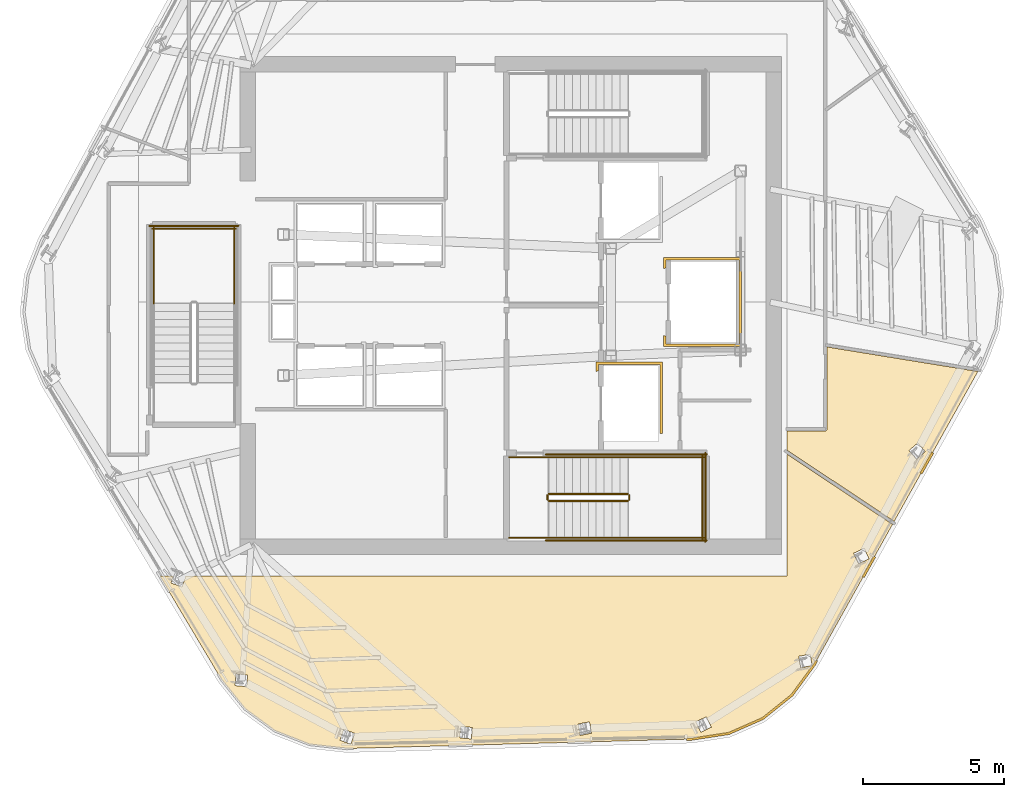
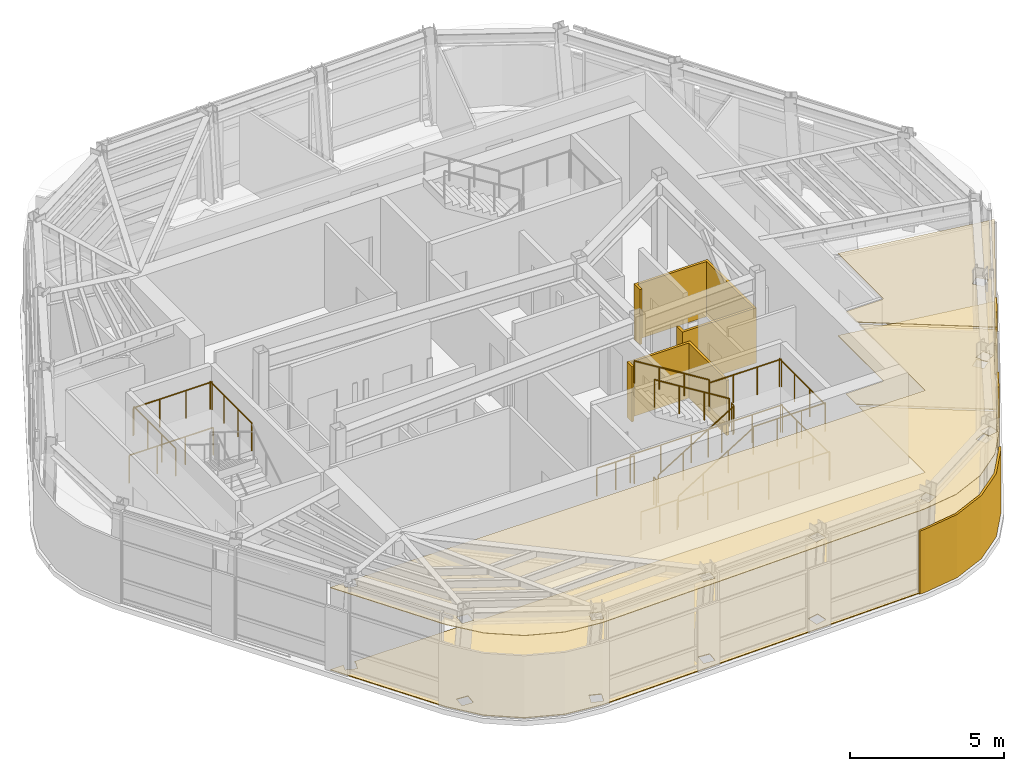
# One storey, part 10 of 13: 18 railings, 9 coverings.
"""IFC4 building model written with IfcOpenShell, lengths in metres."""

from ifc_helpers import new_model, si_unit, direction, frame, origin, origin_2d, place, context, subcontext, project, spatial, polyline, circle, outline, extrude, material, layer, layer_set, type_object, element, save


model = new_model("IFC4")

# Units and contexts
model_context = context("Model", 3, precision=1e-05, world=origin(), true_north=direction((0.0, 1.0)))
body_context = subcontext(model_context, "Body", "Model", "MODEL_VIEW")
ifc_project = project(units=[si_unit("LENGTHUNIT", "METRE"), si_unit("AREAUNIT", "SQUARE_METRE"), si_unit("VOLUMEUNIT", "CUBIC_METRE"), si_unit("PLANEANGLEUNIT", "RADIAN"), si_unit("MASSUNIT", "GRAM", prefix="KILO")], contexts=[model_context])

# Site, building, storey
site_placement = place(None, origin())
site = spatial("IfcSite", under=ifc_project, at=site_placement, CompositionType="ELEMENT")
building_placement = place(site_placement, origin())
building = spatial("IfcBuilding", under=site, at=building_placement, Name="Valkerne Bourse Tower", CompositionType="ELEMENT")
storey_placement = place(building_placement, frame((0.0, 0.0, 288.800048828125)))
storey = spatial("IfcBuildingStorey", under=building, at=storey_placement, Name="L73", CompositionType="ELEMENT", Elevation=288.800048828125)

# Coverings
ifc_material_1 = material(Name="Mineral Fiber Acoustic Ceiling Tile", Category="acoustic")
ifc_layer_1 = layer(ifc_material_1, 0.02490234375)
ifc_layer_set_1 = layer_set([ifc_layer_1], Name="Mineral Fiber Acoustic Ceiling Tile")
covering_type_1 = type_object("IfcCoveringType", Name="COV-CEIL-ACT", PredefinedType="CEILING", material=ifc_layer_set_1)
covering_1_placement = place(storey_placement, frame((0.0, 0.0, 3.25)))
element("IfcCovering", 1, at=covering_1_placement, inside=storey, type_object=covering_type_1, Name="L73 Suspended Ceiling 04", PredefinedType="CEILING", context=body_context, shape_type="SweptSolid", body=[
    extrude(outline(polyline([(57.953369140625, 22.43115234375), (57.99072265625, 22.444091796875), (58.0126953125, 22.470947265625), (58.01904296875, 22.49951171875), (58.01904296875, 25.40869140625), (63.35986328125, 24.54052734375), (60.391845703125, 19.225341796875), (56.60009765625, 21.748291015625), (56.60009765625, 22.430908203125), (57.953369140625, 22.43115234375)]), holes=[polyline([(61.493896484375, 21.697998046875), (61.228515625, 22.005859375), (60.91845703125, 21.739501953125), (60.917724609375, 21.737548828125), (61.18310546875, 21.4296875), (61.4931640625, 21.69580078125), (61.493896484375, 21.697998046875)])]), origin(), (0.0, 0.0, 1.0), 0.02490234375),
])
covering_2_placement = place(storey_placement, frame((0.0, 0.0, 3.25)))
element("IfcCovering", 2, at=covering_2_placement, inside=storey, type_object=covering_type_1, Name="L73 Suspended Ceiling 09", PredefinedType="CEILING", context=body_context, shape_type="SweptSolid", body=[
    extrude(outline(polyline([(55.736083984375, 12.24462890625), (54.52783203125, 11.71435546875), (53.213623046875, 11.51318359375), (40.99462890625, 11.176513671875), (39.674072265625, 11.322265625), (38.444580078125, 11.8017578125), (37.381103515625, 12.582763671875), (36.550537109375, 13.619873046875), (34.354736328125, 17.300048828125), (34.85205078125, 17.300048828125), (34.76171875, 17.04150390625), (34.762939453125, 17.039794921875), (35.14892578125, 16.905517578125), (35.283447265625, 17.2890625), (35.281982421875, 17.291015625), (35.255615234375, 17.300048828125), (56.60009765625, 17.300048828125), (56.60009765625, 21.6064453125), (60.334228515625, 19.1220703125), (57.552978515625, 14.14111328125), (56.76611328125, 13.069580078125), (55.736083984375, 12.24462890625)]), holes=[polyline([(41.2685546875, 11.71728515625), (40.886474609375, 11.8544921875), (40.748291015625, 11.468994140625), (40.75048828125, 11.46826171875), (41.13232421875, 11.331298828125), (41.270751953125, 11.716552734375), (41.2685546875, 11.71728515625)]), polyline([(45.43798828125, 11.924072265625), (45.03369140625, 11.959716796875), (44.99755859375, 11.552001953125), (44.999755859375, 11.5517578125), (45.404296875, 11.51611328125), (45.440185546875, 11.923828125), (45.43798828125, 11.924072265625)]), polyline([(37.471923828125, 13.77978515625), (37.064697265625, 13.811767578125), (37.031982421875, 13.406494140625), (37.03369140625, 13.405029296875), (37.441162109375, 13.373046875), (37.473876953125, 13.7783203125), (37.471923828125, 13.77978515625)]), polyline([(49.6669921875, 11.719970703125), (49.5908203125, 12.1220703125), (49.58837890625, 12.12158203125), (49.189697265625, 12.046142578125), (49.265869140625, 11.64404296875), (49.26806640625, 11.644287109375), (49.6669921875, 11.719970703125)]), polyline([(53.909912109375, 11.930908203125), (53.734130859375, 12.300537109375), (53.732177734375, 12.299560546875), (53.365478515625, 12.12548828125), (53.541259765625, 11.755615234375), (53.54345703125, 11.756591796875), (53.909912109375, 11.930908203125)]), polyline([(57.486083984375, 14.11865234375), (57.4130859375, 14.5185546875), (57.010986328125, 14.446044921875), (57.00927734375, 14.444580078125), (57.082275390625, 14.044677734375), (57.484130859375, 14.1171875), (57.486083984375, 14.11865234375)]), polyline([(59.498779296875, 17.90234375), (59.326904296875, 18.270751953125), (58.956298828125, 18.0986328125), (58.954833984375, 18.096923828125), (59.126708984375, 17.728515625), (59.497314453125, 17.900390625), (59.498779296875, 17.90234375)])]), origin(), (0.0, 0.0, 1.0), 0.02490234375),
])
ifc_material_2 = material(Name="Bronze Anodised Aluminium AA 6063-T6", Category="aluminium")
ifc_layer_2 = layer(ifc_material_2, 0.06005859375)
ifc_layer_set_2 = layer_set([ifc_layer_2], Name="Bronze Anodised Aluminium AA 6063-T6")
covering_type_2 = type_object("IfcCoveringType", Name="COV-CRN-ALUM", PredefinedType="CLADDING", material=ifc_layer_set_2)
covering_3_placement = place(storey_placement, origin())
element("IfcCovering", 3, at=covering_3_placement, inside=storey, type_object=covering_type_2, Name="L73 Wind-Shaped Corner Aluminium Cladding 02", PredefinedType="CLADDING", context=body_context, shape_type="SweptSolid", body=[
    extrude(outline(polyline([(61.381591796875, 20.90771484375), (61.3115234375, 20.9462890625), (61.72119140625, 21.6796875), (61.791259765625, 21.64111328125), (61.381591796875, 20.90771484375)])), origin(), (0.0, 0.0, 1.0), 2.5),
])
covering_4_placement = place(storey_placement, origin())
element("IfcCovering", 4, at=covering_4_placement, inside=storey, type_object=covering_type_2, Name="L73 Wind-Shaped Corner Aluminium Cladding 03", PredefinedType="CLADDING", context=body_context, shape_type="SweptSolid", body=[
    extrude(outline(polyline([(59.328125, 17.22998046875), (59.258056640625, 17.2685546875), (59.66748046875, 18.001953125), (59.73779296875, 17.96337890625), (59.328125, 17.22998046875)])), origin(), (0.0, 0.0, 1.0), 2.5),
])
covering_5_placement = place(storey_placement, origin())
element("IfcCovering", 5, at=covering_5_placement, inside=storey, type_object=covering_type_2, Name="L73 Wind-Shaped Corner Aluminium Cladding 04", PredefinedType="CLADDING", context=body_context, shape_type="SweptSolid", body=[
    extrude(outline(polyline([(57.590087890625, 14.117431640625), (56.798095703125, 13.0390625), (55.759033203125, 12.206787109375), (54.540283203125, 11.671630859375), (53.217529296875, 11.46923828125), (53.024658203125, 11.464111328125), (53.02294921875, 11.5439453125), (53.210205078125, 11.549072265625), (54.517578125, 11.7490234375), (55.71728515625, 12.27587890625), (56.73974609375, 13.094970703125), (57.522705078125, 14.16064453125), (57.614013671875, 14.32421875), (57.68408203125, 14.285888671875), (57.590087890625, 14.117431640625)])), origin(), (0.0, 0.0, 1.0), 2.5),
])
ifc_material_3 = material(Name="Polished Granite Stone", Category="masonry")
ifc_layer_3 = layer(ifc_material_3, 0.030029296875)
ifc_layer_set_3 = layer_set([ifc_layer_3], Name="Polished Granite Stone")
covering_type_3 = type_object("IfcCoveringType", Name="COV-FLR-TERRAZZO", PredefinedType="FLOORING", material=ifc_layer_set_3)
covering_6_placement = place(storey_placement, origin())
element("IfcCovering", 6, at=covering_6_placement, inside=storey, type_object=covering_type_3, Name="L73 Floor Finish 04", PredefinedType="FLOORING", context=body_context, shape_type="SweptSolid", body=[
    extrude(outline(polyline([(57.953369140625, 22.43115234375), (57.99072265625, 22.444091796875), (58.0126953125, 22.470947265625), (58.01904296875, 22.49951171875), (58.01904296875, 25.40869140625), (63.35986328125, 24.54052734375), (60.391845703125, 19.225341796875), (56.60009765625, 21.748291015625), (56.60009765625, 22.430908203125), (57.953369140625, 22.43115234375)]), holes=[polyline([(61.493896484375, 21.697998046875), (61.228515625, 22.005859375), (60.91845703125, 21.739501953125), (60.917724609375, 21.737548828125), (61.18310546875, 21.4296875), (61.4931640625, 21.69580078125), (61.493896484375, 21.697998046875)])]), origin(), (0.0, 0.0, 1.0), 0.030029296875),
])
covering_7_placement = place(storey_placement, origin())
element("IfcCovering", 7, at=covering_7_placement, inside=storey, type_object=covering_type_3, Name="L73 Floor Finish 09", PredefinedType="FLOORING", context=body_context, shape_type="SweptSolid", body=[
    extrude(outline(polyline([(55.736083984375, 12.24462890625), (54.52783203125, 11.71435546875), (53.213623046875, 11.51318359375), (40.99462890625, 11.176513671875), (39.674072265625, 11.322265625), (38.444580078125, 11.8017578125), (37.381103515625, 12.582763671875), (36.550537109375, 13.619873046875), (34.354736328125, 17.300048828125), (34.85205078125, 17.300048828125), (34.76171875, 17.04150390625), (34.762939453125, 17.039794921875), (35.14892578125, 16.905517578125), (35.283447265625, 17.2890625), (35.281982421875, 17.291015625), (35.255615234375, 17.300048828125), (56.60009765625, 17.300048828125), (56.60009765625, 21.6064453125), (60.334228515625, 19.1220703125), (57.552978515625, 14.14111328125), (56.76611328125, 13.069580078125), (55.736083984375, 12.24462890625)]), holes=[polyline([(41.2685546875, 11.71728515625), (40.886474609375, 11.8544921875), (40.748291015625, 11.468994140625), (40.75048828125, 11.46826171875), (41.13232421875, 11.331298828125), (41.270751953125, 11.716552734375), (41.2685546875, 11.71728515625)]), polyline([(45.43798828125, 11.924072265625), (45.03369140625, 11.959716796875), (44.99755859375, 11.552001953125), (44.999755859375, 11.5517578125), (45.404296875, 11.51611328125), (45.440185546875, 11.923828125), (45.43798828125, 11.924072265625)]), polyline([(37.471923828125, 13.77978515625), (37.064697265625, 13.811767578125), (37.031982421875, 13.406494140625), (37.03369140625, 13.405029296875), (37.441162109375, 13.373046875), (37.473876953125, 13.7783203125), (37.471923828125, 13.77978515625)]), polyline([(49.6669921875, 11.719970703125), (49.5908203125, 12.1220703125), (49.58837890625, 12.12158203125), (49.189697265625, 12.046142578125), (49.265869140625, 11.64404296875), (49.26806640625, 11.644287109375), (49.6669921875, 11.719970703125)]), polyline([(53.909912109375, 11.930908203125), (53.734130859375, 12.300537109375), (53.732177734375, 12.299560546875), (53.365478515625, 12.12548828125), (53.541259765625, 11.755615234375), (53.54345703125, 11.756591796875), (53.909912109375, 11.930908203125)]), polyline([(57.486083984375, 14.11865234375), (57.4130859375, 14.5185546875), (57.010986328125, 14.446044921875), (57.00927734375, 14.444580078125), (57.082275390625, 14.044677734375), (57.484130859375, 14.1171875), (57.486083984375, 14.11865234375)]), polyline([(59.498779296875, 17.90234375), (59.326904296875, 18.270751953125), (58.956298828125, 18.0986328125), (58.954833984375, 18.096923828125), (59.126708984375, 17.728515625), (59.497314453125, 17.900390625), (59.498779296875, 17.90234375)])]), origin(), (0.0, 0.0, 1.0), 0.030029296875),
])
ifc_material_4 = material(Name="Gypsum Shaftwall Liner Board", Category="gypsum")
ifc_layer_4 = layer(ifc_material_4, 0.080078125)
ifc_layer_set_4 = layer_set([ifc_layer_4], Name="Gypsum Shaftwall Liner Board")
covering_type_4 = type_object("IfcCoveringType", Name="COV-SHF-CLAD", PredefinedType="CLADDING", material=ifc_layer_set_4)
covering_8_placement = place(storey_placement, origin())
element("IfcCovering", 8, at=covering_8_placement, inside=storey, type_object=covering_type_4, Name="L73 Hoistway & Riser Shaftwall Liner 01", PredefinedType="CLADDING", context=body_context, shape_type="SweptSolid", body=[
    extrude(outline(polyline([(52.179931640625, 24.8798828125), (52.179931640625, 22.35009765625), (52.090087890625, 22.35009765625), (52.090087890625, 24.7900390625), (49.909912109375, 24.7900390625), (49.909912109375, 24.560791015625), (49.869384765625, 24.550537109375), (49.827880859375, 24.53564453125), (49.820068359375, 24.531982421875), (49.820068359375, 24.8798828125), (52.179931640625, 24.8798828125)])), origin(), (0.0, 0.0, 1.0), 2.179931640625),
])
covering_9_placement = place(storey_placement, origin())
element("IfcCovering", 9, at=covering_9_placement, inside=storey, type_object=covering_type_4, Name="L73 Hoistway & Riser Shaftwall Liner 05", PredefinedType="CLADDING", context=body_context, shape_type="SweptSolid", body=[
    extrude(outline(polyline([(54.97998046875, 28.580078125), (54.97998046875, 25.419921875), (52.219970703125, 25.419921875), (52.219970703125, 25.81787109375), (52.227783203125, 25.814208984375), (52.269287109375, 25.79931640625), (52.31005859375, 25.789306640625), (52.31005859375, 25.510009765625), (54.889892578125, 25.510009765625), (54.889892578125, 28.489990234375), (52.31005859375, 28.489990234375), (52.31005859375, 28.210693359375), (52.269287109375, 28.20068359375), (52.227783203125, 28.185791015625), (52.219970703125, 28.18212890625), (52.219970703125, 28.580078125), (54.97998046875, 28.580078125)])), origin(), (0.0, 0.0, 1.0), 2.179931640625),
])

# Railings
ifc_material_5 = material(Name="Galvanised Painted Steel", Category="steel")
railing_type_1 = type_object("IfcRailingType", Name="RLG-ST-GUARD-1120", PredefinedType="GUARDRAIL", material=ifc_material_5)
railing_1_placement = place(storey_placement, frame((48.14990234375, 19.949951171875, 0.172607421875)))
element("IfcRailing", 10, at=railing_1_placement, inside=storey, type_object=railing_type_1, Name="L73 ST-1 stair guard 1", PredefinedType="GUARDRAIL", context=body_context, shape_type="SweptSolid", body=[
    extrude(circle(Radius=0.02392578125, at=origin_2d()), frame((0.0, 0.0, 1.09619140625), z_axis=(0.851089632645, 0.0, 0.525020415988), x_axis=(0.0, 1.0, 0.0)), (0.0, 0.0, 1.0), 3.2900390625),
    extrude(circle(Radius=0.02099609375, at=origin_2d()), origin(), (0.0, 0.0, 1.0), 1.072021484375),
    extrude(circle(Radius=0.02099609375, at=origin_2d()), frame((0.933349609375, 0.0, 0.57568359375)), (0.0, 0.0, 1.0), 1.072021484375),
    extrude(circle(Radius=0.02099609375, at=origin_2d()), frame((1.86669921875, 0.0, 1.151611328125)), (0.0, 0.0, 1.0), 1.072021484375),
    extrude(circle(Radius=0.02099609375, at=origin_2d()), frame((2.800048828125, 0.0, 1.727294921875)), (0.0, 0.0, 1.0), 1.072021484375),
])
railing_2_placement = place(storey_placement, frame((51.0, 20.0, 1.89990234375)))
element("IfcRailing", 11, at=railing_2_placement, inside=storey, type_object=railing_type_1, Name="L73 ST-1 stair guard 2", PredefinedType="GUARDRAIL", context=body_context, shape_type="SweptSolid", body=[
    extrude(circle(Radius=0.02392578125, at=origin_2d()), frame((0.0, 0.0, 1.09619140625), z_axis=(0.0, 1.0, 0.0), x_axis=(-1.0, 0.0, 0.0)), (0.0, 0.0, 1.0), 0.14990234375),
    extrude(circle(Radius=0.02099609375, at=origin_2d()), origin(), (0.0, 0.0, 1.0), 1.072021484375),
    extrude(circle(Radius=0.02099609375, at=origin_2d()), frame((0.0, 0.14990234375, 0.0)), (0.0, 0.0, 1.0), 1.072021484375),
])
for number, where, name in (
    (12, (50.949951171875, 18.64990234375, 1.89990234375), "L73 ST-1 stair guard 3"),
    (13, (50.949951171875, 21.5, 1.89990234375), "L73 ST-1 stair guard 4"),
):
    element("IfcRailing", number, at=place(storey_placement, frame(where)), inside=storey, type_object=railing_type_1, Name=name, PredefinedType="GUARDRAIL", context=body_context, shape_type="SweptSolid", body=[
        extrude(circle(Radius=0.02392578125, at=origin_2d()), frame((0.0, 0.0, 1.09619140625), z_axis=(1.0, 0.0, 0.0), x_axis=(0.0, 1.0, 0.0)), (0.0, 0.0, 1.0), 2.699951171875),
        extrude(circle(Radius=0.02099609375, at=origin_2d()), origin(), (0.0, 0.0, 1.0), 1.072021484375),
        extrude(circle(Radius=0.02099609375, at=origin_2d()), frame((0.89990234375, 0.0, 0.0)), (0.0, 0.0, 1.0), 1.072021484375),
        extrude(circle(Radius=0.02099609375, at=origin_2d()), frame((1.800048828125, 0.0, 0.0)), (0.0, 0.0, 1.0), 1.072021484375),
        extrude(circle(Radius=0.02099609375, at=origin_2d()), frame((2.699951171875, 0.0, 0.0)), (0.0, 0.0, 1.0), 1.072021484375),
    ])
railing_3_placement = place(storey_placement, frame((53.60009765625, 18.60009765625, 1.89990234375)))
element("IfcRailing", 14, at=railing_3_placement, inside=storey, type_object=railing_type_1, Name="L73 ST-1 stair guard 5", PredefinedType="GUARDRAIL", context=body_context, shape_type="SweptSolid", body=[
    extrude(circle(Radius=0.02392578125, at=origin_2d()), frame((0.0, 0.0, 1.09619140625), z_axis=(0.0, 1.0, 0.0), x_axis=(-1.0, 0.0, 0.0)), (0.0, 0.0, 1.0), 2.949951171875),
    extrude(circle(Radius=0.02099609375, at=origin_2d()), origin(), (0.0, 0.0, 1.0), 1.072021484375),
    extrude(circle(Radius=0.02099609375, at=origin_2d()), frame((0.0, 0.9833984375, 0.0)), (0.0, 0.0, 1.0), 1.072021484375),
    extrude(circle(Radius=0.02099609375, at=origin_2d()), frame((0.0, 1.966552734375, 0.0)), (0.0, 0.0, 1.0), 1.072021484375),
    extrude(circle(Radius=0.02099609375, at=origin_2d()), frame((0.0, 2.949951171875, 0.0)), (0.0, 0.0, 1.0), 1.072021484375),
])
railing_4_placement = place(storey_placement, frame((50.949951171875, 20.199951171875, 2.07275390625)))
element("IfcRailing", 15, at=railing_4_placement, inside=storey, type_object=railing_type_1, Name="L73 ST-1 stair guard 6", PredefinedType="GUARDRAIL", context=body_context, shape_type="SweptSolid", body=[
    extrude(circle(Radius=0.02392578125, at=origin_2d()), frame((0.0, 0.0, 1.09619140625), z_axis=(-0.851089632645, 0.0, 0.525020415988), x_axis=(0.0, -1.0, 0.0)), (0.0, 0.0, 1.0), 3.2900390625),
    extrude(circle(Radius=0.02099609375, at=origin_2d()), origin(), (0.0, 0.0, 1.0), 1.072021484375),
    extrude(circle(Radius=0.02099609375, at=origin_2d()), frame((-0.933349609375, 0.0, 0.57568359375)), (0.0, 0.0, 1.0), 1.072021484375),
    extrude(circle(Radius=0.02099609375, at=origin_2d()), frame((-1.86669921875, 0.0, 1.151611328125)), (0.0, 0.0, 1.0), 1.072021484375),
    extrude(circle(Radius=0.02099609375, at=origin_2d()), frame((-2.800048828125, 0.0, 1.727294921875)), (0.0, 0.0, 1.0), 1.072021484375),
])
railing_5_placement = place(storey_placement, frame((48.10009765625, 20.0, 0.0)))
element("IfcRailing", 16, at=railing_5_placement, inside=storey, type_object=railing_type_1, Name="L73 ST-1 stair guard 7", PredefinedType="GUARDRAIL", context=body_context, shape_type="SweptSolid", body=[
    extrude(circle(Radius=0.02392578125, at=origin_2d()), frame((0.0, 0.0, 1.09619140625), z_axis=(0.0, 1.0, 0.0), x_axis=(-1.0, 0.0, 0.0)), (0.0, 0.0, 1.0), 0.14990234375),
    extrude(circle(Radius=0.02099609375, at=origin_2d()), origin(), (0.0, 0.0, 1.0), 1.072021484375),
    extrude(circle(Radius=0.02099609375, at=origin_2d()), frame((0.0, 0.14990234375, 0.0)), (0.0, 0.0, 1.0), 1.072021484375),
])
for number, where, name in (
    (17, (46.75, 18.64990234375, 0.0), "L73 ST-1 stair guard 8"),
    (18, (46.75, 21.5, 0.0), "L73 ST-1 stair guard 9"),
):
    element("IfcRailing", number, at=place(storey_placement, frame(where)), inside=storey, type_object=railing_type_1, Name=name, PredefinedType="GUARDRAIL", context=body_context, shape_type="SweptSolid", body=[
        extrude(circle(Radius=0.02392578125, at=origin_2d()), frame((0.0, 0.0, 1.09619140625), z_axis=(1.0, 0.0, 0.0), x_axis=(0.0, 1.0, 0.0)), (0.0, 0.0, 1.0), 1.39990234375),
        extrude(circle(Radius=0.02099609375, at=origin_2d()), origin(), (0.0, 0.0, 1.0), 1.072021484375),
        extrude(circle(Radius=0.02099609375, at=origin_2d()), frame((0.699951171875, 0.0, 0.0)), (0.0, 0.0, 1.0), 1.072021484375),
        extrude(circle(Radius=0.02099609375, at=origin_2d()), frame((1.39990234375, 0.0, 0.0)), (0.0, 0.0, 1.0), 1.072021484375),
    ])
for number, where, name in (
    (19, (48.050048828125, 18.550048828125, 0.0), "L73 ST-1 stair guard 10"),
    (20, (48.050048828125, 21.60009765625, 0.0), "L73 ST-1 stair guard 11"),
):
    element("IfcRailing", number, at=place(storey_placement, frame(where)), inside=storey, type_object=railing_type_1, Name=name, PredefinedType="GUARDRAIL", context=body_context, shape_type="SweptSolid", body=[
        extrude(circle(Radius=0.02392578125, at=origin_2d()), frame((0.0, 0.0, 1.09619140625), z_axis=(1.0, 0.0, 0.0), x_axis=(0.0, 1.0, 0.0)), (0.0, 0.0, 1.0), 5.699951171875),
        extrude(circle(Radius=0.02099609375, at=origin_2d()), origin(), (0.0, 0.0, 1.0), 1.072021484375),
        extrude(circle(Radius=0.02099609375, at=origin_2d()), frame((1.139892578125, 0.0, 0.0)), (0.0, 0.0, 1.0), 1.072021484375),
        extrude(circle(Radius=0.02099609375, at=origin_2d()), frame((2.280029296875, 0.0, 0.0)), (0.0, 0.0, 1.0), 1.072021484375),
        extrude(circle(Radius=0.02099609375, at=origin_2d()), frame((3.419921875, 0.0, 0.0)), (0.0, 0.0, 1.0), 1.072021484375),
        extrude(circle(Radius=0.02099609375, at=origin_2d()), frame((4.56005859375, 0.0, 0.0)), (0.0, 0.0, 1.0), 1.072021484375),
        extrude(circle(Radius=0.02099609375, at=origin_2d()), frame((5.699951171875, 0.0, 0.0)), (0.0, 0.0, 1.0), 1.072021484375),
    ])
railing_6_placement = place(storey_placement, frame((53.699951171875, 18.5, 0.0)))
element("IfcRailing", 21, at=railing_6_placement, inside=storey, type_object=railing_type_1, Name="L73 ST-1 stair guard 12", PredefinedType="GUARDRAIL", context=body_context, shape_type="SweptSolid", body=[
    extrude(circle(Radius=0.02392578125, at=origin_2d()), frame((0.0, 0.0, 1.09619140625), z_axis=(0.0, 1.0, 0.0), x_axis=(-1.0, 0.0, 0.0)), (0.0, 0.0, 1.0), 3.14990234375),
    extrude(circle(Radius=0.02099609375, at=origin_2d()), origin(), (0.0, 0.0, 1.0), 1.072021484375),
    extrude(circle(Radius=0.02099609375, at=origin_2d()), frame((0.0, 1.050048828125, 0.0)), (0.0, 0.0, 1.0), 1.072021484375),
    extrude(circle(Radius=0.02099609375, at=origin_2d()), frame((0.0, 2.099853515625, 0.0)), (0.0, 0.0, 1.0), 1.072021484375),
    extrude(circle(Radius=0.02099609375, at=origin_2d()), frame((0.0, 3.14990234375, 0.0)), (0.0, 0.0, 1.0), 1.072021484375),
])
for number, where, name in (
    (22, (37.0, 26.949951171875, 1.89990234375), "L73 ST-3 stair guard 3"),
    (23, (34.14990234375, 26.949951171875, 1.89990234375), "L73 ST-3 stair guard 4"),
):
    element("IfcRailing", number, at=place(storey_placement, frame(where)), inside=storey, type_object=railing_type_1, Name=name, PredefinedType="GUARDRAIL", context=body_context, shape_type="SweptSolid", body=[
        extrude(circle(Radius=0.02392578125, at=origin_2d()), frame((0.0, 0.0, 1.09619140625), z_axis=(0.0, 1.0, 0.0), x_axis=(-1.0, 0.0, 0.0)), (0.0, 0.0, 1.0), 2.699951171875),
        extrude(circle(Radius=0.02099609375, at=origin_2d()), origin(), (0.0, 0.0, 1.0), 1.072021484375),
        extrude(circle(Radius=0.02099609375, at=origin_2d()), frame((0.0, 0.89990234375, 0.0)), (0.0, 0.0, 1.0), 1.072021484375),
        extrude(circle(Radius=0.02099609375, at=origin_2d()), frame((0.0, 1.800048828125, 0.0)), (0.0, 0.0, 1.0), 1.072021484375),
        extrude(circle(Radius=0.02099609375, at=origin_2d()), frame((0.0, 2.699951171875, 0.0)), (0.0, 0.0, 1.0), 1.072021484375),
    ])
railing_7_placement = place(storey_placement, frame((37.050048828125, 29.60009765625, 1.89990234375)))
element("IfcRailing", 24, at=railing_7_placement, inside=storey, type_object=railing_type_1, Name="L73 ST-3 stair guard 5", PredefinedType="GUARDRAIL", context=body_context, shape_type="SweptSolid", body=[
    extrude(circle(Radius=0.02392578125, at=origin_2d()), frame((0.0, 0.0, 1.09619140625), z_axis=(-1.0, 0.0, 0.0), x_axis=(0.0, -1.0, 0.0)), (0.0, 0.0, 1.0), 2.949951171875),
    extrude(circle(Radius=0.02099609375, at=origin_2d()), origin(), (0.0, 0.0, 1.0), 1.072021484375),
    extrude(circle(Radius=0.02099609375, at=origin_2d()), frame((-0.9833984375, 0.0, 0.0)), (0.0, 0.0, 1.0), 1.072021484375),
    extrude(circle(Radius=0.02099609375, at=origin_2d()), frame((-1.966552734375, 0.0, 0.0)), (0.0, 0.0, 1.0), 1.072021484375),
    extrude(circle(Radius=0.02099609375, at=origin_2d()), frame((-2.949951171875, 0.0, 0.0)), (0.0, 0.0, 1.0), 1.072021484375),
])
railing_8_placement = place(storey_placement, frame((37.14990234375, 29.699951171875, 0.0)))
element("IfcRailing", 25, at=railing_8_placement, inside=storey, type_object=railing_type_1, Name="L73 ST-3 stair guard 12", PredefinedType="GUARDRAIL", context=body_context, shape_type="SweptSolid", body=[
    extrude(circle(Radius=0.02392578125, at=origin_2d()), frame((0.0, 0.0, 1.09619140625), z_axis=(-1.0, 0.0, 0.0), x_axis=(0.0, -1.0, 0.0)), (0.0, 0.0, 1.0), 3.14990234375),
    extrude(circle(Radius=0.02099609375, at=origin_2d()), origin(), (0.0, 0.0, 1.0), 1.072021484375),
    extrude(circle(Radius=0.02099609375, at=origin_2d()), frame((-1.050048828125, 0.0, 0.0)), (0.0, 0.0, 1.0), 1.072021484375),
    extrude(circle(Radius=0.02099609375, at=origin_2d()), frame((-2.099853515625, 0.0, 0.0)), (0.0, 0.0, 1.0), 1.072021484375),
    extrude(circle(Radius=0.02099609375, at=origin_2d()), frame((-3.14990234375, 0.0, 0.0)), (0.0, 0.0, 1.0), 1.072021484375),
])
ifc_material_6 = material(Name="Stainless Steel AISI 316", Category="steel")
railing_type_2 = type_object("IfcRailingType", Name="RLG-ST-HANDRAIL-900", PredefinedType="HANDRAIL", material=ifc_material_6)
railing_9_placement = place(storey_placement, frame((48.14990234375, 18.64990234375, 0.345458984375)))
element("IfcRailing", 26, at=railing_9_placement, inside=storey, type_object=railing_type_2, Name="L73 ST-1 stair handrail 1", PredefinedType="HANDRAIL", context=body_context, shape_type="SweptSolid", body=[
    extrude(circle(Radius=0.02392578125, at=origin_2d()), frame((0.0, 0.0, 0.8759765625), z_axis=(0.851089632645, 0.0, 0.525020415988), x_axis=(0.0, 1.0, 0.0)), (0.0, 0.0, 1.0), 3.2900390625),
    extrude(circle(Radius=0.02099609375, at=origin_2d()), origin(), (0.0, 0.0, 1.0), 0.851806640625),
    extrude(circle(Radius=0.02099609375, at=origin_2d()), frame((0.933349609375, 0.0, 0.57568359375)), (0.0, 0.0, 1.0), 0.851806640625),
    extrude(circle(Radius=0.02099609375, at=origin_2d()), frame((1.86669921875, 0.0, 1.151611328125)), (0.0, 0.0, 1.0), 0.851806640625),
    extrude(circle(Radius=0.02099609375, at=origin_2d()), frame((2.800048828125, 0.0, 1.727294921875)), (0.0, 0.0, 1.0), 0.851806640625),
])
railing_10_placement = place(storey_placement, frame((50.949951171875, 21.5, 2.245361328125)))
element("IfcRailing", 27, at=railing_10_placement, inside=storey, type_object=railing_type_2, Name="L73 ST-1 stair handrail 2", PredefinedType="HANDRAIL", context=body_context, shape_type="SweptSolid", body=[
    extrude(circle(Radius=0.02392578125, at=origin_2d()), frame((0.0, 0.0, 0.8759765625), z_axis=(-0.851089632645, 0.0, 0.525020415988), x_axis=(0.0, -1.0, 0.0)), (0.0, 0.0, 1.0), 3.2900390625),
    extrude(circle(Radius=0.02099609375, at=origin_2d()), origin(), (0.0, 0.0, 1.0), 0.851806640625),
    extrude(circle(Radius=0.02099609375, at=origin_2d()), frame((-0.933349609375, 0.0, 0.57568359375)), (0.0, 0.0, 1.0), 0.851806640625),
    extrude(circle(Radius=0.02099609375, at=origin_2d()), frame((-1.86669921875, 0.0, 1.151611328125)), (0.0, 0.0, 1.0), 0.851806640625),
    extrude(circle(Radius=0.02099609375, at=origin_2d()), frame((-2.800048828125, 0.0, 1.727294921875)), (0.0, 0.0, 1.0), 0.851806640625),
])

save(model, "model.ifc")
